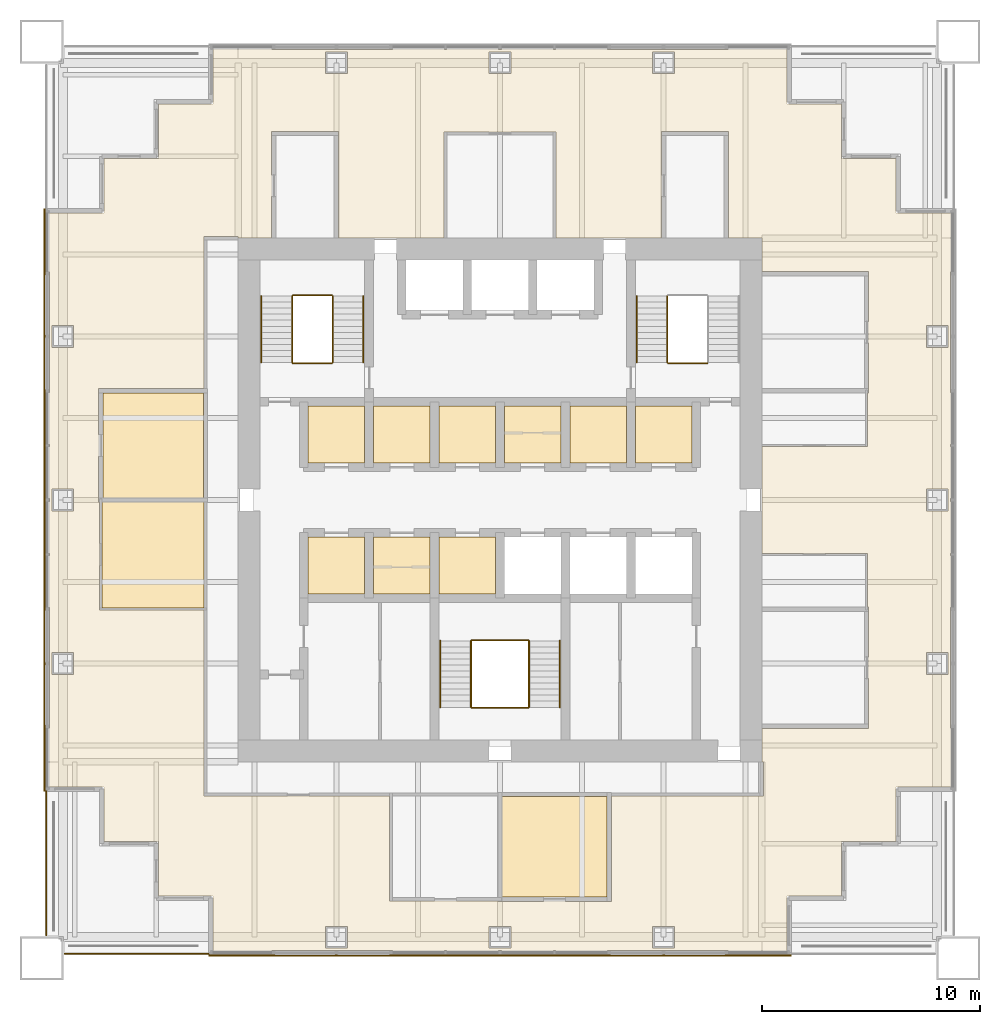
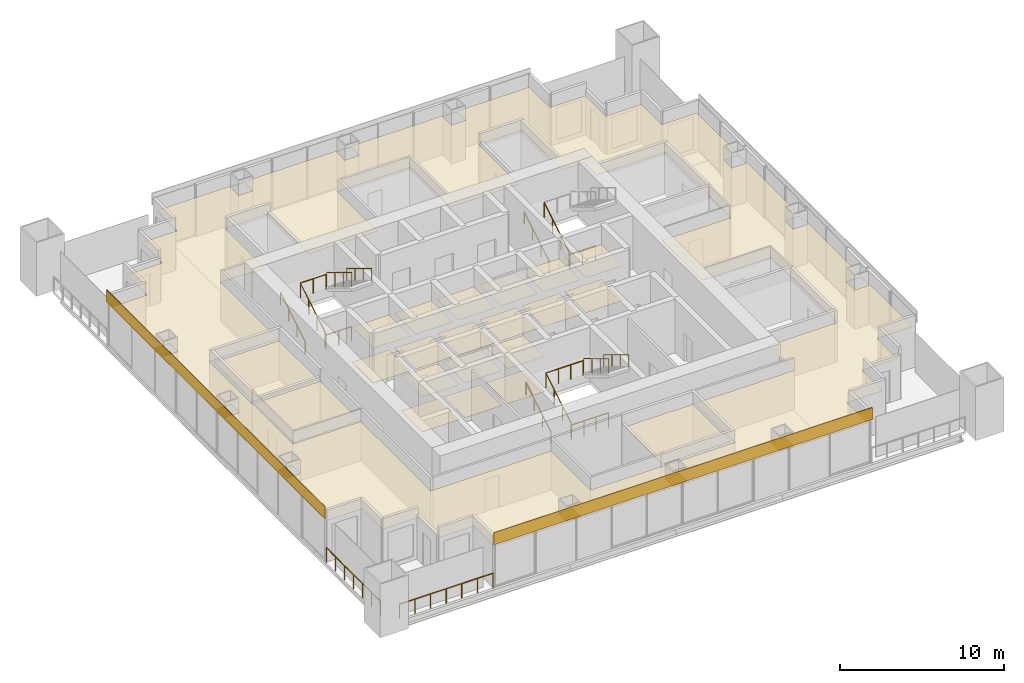
# One storey, part 13 of 14: 24 coverings, 17 railings.
"""IFC4 building model written with IfcOpenShell, lengths in metres."""

from ifc_helpers import new_model, si_unit, direction, frame, origin, origin_2d, place, context, subcontext, project, spatial, polyline, rectangle, circle, outline, extrude, material, layer, layer_set, type_object, element, save


model = new_model("IFC4")

# Units and contexts
model_context = context("Model", 3, precision=1e-05, world=origin(), true_north=direction((0.0, 1.0)))
body_context = subcontext(model_context, "Body", "Model", "MODEL_VIEW")
ifc_project = project(units=[si_unit("LENGTHUNIT", "METRE"), si_unit("AREAUNIT", "SQUARE_METRE"), si_unit("VOLUMEUNIT", "CUBIC_METRE"), si_unit("PLANEANGLEUNIT", "RADIAN"), si_unit("MASSUNIT", "GRAM", prefix="KILO")], contexts=[model_context])

# Site, building, storey
site_placement = place(None, origin())
site = spatial("IfcSite", under=ifc_project, at=site_placement, CompositionType="ELEMENT")
building_placement = place(site_placement, origin())
building = spatial("IfcBuilding", under=site, at=building_placement, Name="Tarangal Relay Tower", CompositionType="ELEMENT")
storey_placement = place(building_placement, frame((0.0, 0.0, 307.89990234375)))
storey = spatial("IfcBuildingStorey", under=building, at=storey_placement, Name="L68", CompositionType="ELEMENT", Elevation=307.89990234375)

# Coverings
ifc_material_1 = material(Name="Anti-static vinyl flooring", Category="plastic")
ifc_layer_1 = layer(ifc_material_1, 0.010009765625)
ifc_layer_set_1 = layer_set([ifc_layer_1], Name="Anti-static vinyl floor")
covering_type_1 = type_object("IfcCoveringType", Name="Anti-static vinyl floor", PredefinedType="FLOORING", material=ifc_layer_set_1)
covering_1_placement = place(storey_placement, origin())
element("IfcCovering", 1, at=covering_1_placement, inside=storey, type_object=covering_type_1, Name="Floor finish FL1 L68-D1", PredefinedType="FLOORING", context=body_context, shape_type="SweptSolid", body=[
    extrude(outline(polyline([(-8.800048828125, 1.699951171875), (-6.199951171875, 1.699951171875), (-6.199951171875, 4.300048828125), (-8.800048828125, 4.300048828125), (-8.800048828125, 1.699951171875)])), origin(), (0.0, 0.0, 1.0), 0.010009765625),
])
covering_2_placement = place(storey_placement, origin())
element("IfcCovering", 2, at=covering_2_placement, inside=storey, type_object=covering_type_1, Name="Floor finish FL1 L68-D2", PredefinedType="FLOORING", context=body_context, shape_type="SweptSolid", body=[
    extrude(outline(polyline([(-5.800048828125, 1.699951171875), (-3.199951171875, 1.699951171875), (-3.199951171875, 4.300048828125), (-5.800048828125, 4.300048828125), (-5.800048828125, 1.699951171875)])), origin(), (0.0, 0.0, 1.0), 0.010009765625),
])
covering_3_placement = place(storey_placement, origin())
element("IfcCovering", 3, at=covering_3_placement, inside=storey, type_object=covering_type_1, Name="Floor finish FL1 L68-D3", PredefinedType="FLOORING", context=body_context, shape_type="SweptSolid", body=[
    extrude(outline(polyline([(-2.800048828125, 1.699951171875), (-0.199951171875, 1.699951171875), (-0.199951171875, 4.300048828125), (-2.800048828125, 4.300048828125), (-2.800048828125, 1.699951171875)])), origin(), (0.0, 0.0, 1.0), 0.010009765625),
])
covering_4_placement = place(storey_placement, origin())
element("IfcCovering", 4, at=covering_4_placement, inside=storey, type_object=covering_type_1, Name="Floor finish FL1 L68-T1", PredefinedType="FLOORING", context=body_context, shape_type="SweptSolid", body=[
    extrude(outline(polyline([(0.199951171875, 1.699951171875), (2.800048828125, 1.699951171875), (2.800048828125, 4.300048828125), (0.199951171875, 4.300048828125), (0.199951171875, 1.699951171875)])), origin(), (0.0, 0.0, 1.0), 0.010009765625),
])
covering_5_placement = place(storey_placement, origin())
element("IfcCovering", 5, at=covering_5_placement, inside=storey, type_object=covering_type_1, Name="Floor finish FL1 L68-T2", PredefinedType="FLOORING", context=body_context, shape_type="SweptSolid", body=[
    extrude(outline(polyline([(3.199951171875, 1.699951171875), (5.800048828125, 1.699951171875), (5.800048828125, 4.300048828125), (3.199951171875, 4.300048828125), (3.199951171875, 1.699951171875)])), origin(), (0.0, 0.0, 1.0), 0.010009765625),
])
covering_6_placement = place(storey_placement, origin())
element("IfcCovering", 6, at=covering_6_placement, inside=storey, type_object=covering_type_1, Name="Floor finish FL1 L68-T3", PredefinedType="FLOORING", context=body_context, shape_type="SweptSolid", body=[
    extrude(outline(polyline([(6.199951171875, 1.699951171875), (8.800048828125, 1.699951171875), (8.800048828125, 4.300048828125), (6.199951171875, 4.300048828125), (6.199951171875, 1.699951171875)])), origin(), (0.0, 0.0, 1.0), 0.010009765625),
])
covering_7_placement = place(storey_placement, origin())
element("IfcCovering", 7, at=covering_7_placement, inside=storey, type_object=covering_type_1, Name="Floor finish FL1 L68-S1", PredefinedType="FLOORING", context=body_context, shape_type="SweptSolid", body=[
    extrude(outline(polyline([(-8.800048828125, -4.300048828125), (-6.199951171875, -4.300048828125), (-6.199951171875, -1.699951171875), (-8.800048828125, -1.699951171875), (-8.800048828125, -4.300048828125)])), origin(), (0.0, 0.0, 1.0), 0.010009765625),
])
covering_8_placement = place(storey_placement, origin())
element("IfcCovering", 8, at=covering_8_placement, inside=storey, type_object=covering_type_1, Name="Floor finish FL1 L68-S2", PredefinedType="FLOORING", context=body_context, shape_type="SweptSolid", body=[
    extrude(outline(polyline([(-5.800048828125, -4.300048828125), (-3.199951171875, -4.300048828125), (-3.199951171875, -1.699951171875), (-5.800048828125, -1.699951171875), (-5.800048828125, -4.300048828125)])), origin(), (0.0, 0.0, 1.0), 0.010009765625),
])
covering_9_placement = place(storey_placement, origin())
element("IfcCovering", 9, at=covering_9_placement, inside=storey, type_object=covering_type_1, Name="Floor finish FL1 L68-S3", PredefinedType="FLOORING", context=body_context, shape_type="SweptSolid", body=[
    extrude(outline(polyline([(-2.800048828125, -4.300048828125), (-0.199951171875, -4.300048828125), (-0.199951171875, -1.699951171875), (-2.800048828125, -1.699951171875), (-2.800048828125, -4.300048828125)])), origin(), (0.0, 0.0, 1.0), 0.010009765625),
])
ifc_material_2 = material(Name="Black anodised aluminium cladding", Category="aluminium")
ifc_layer_2 = layer(ifc_material_2, 0.050048828125)
ifc_layer_set_2 = layer_set([ifc_layer_2], Name="Black metal spandrel band")
covering_type_2 = type_object("IfcCoveringType", Name="Black metal spandrel band", PredefinedType="CLADDING", material=ifc_layer_set_2)
for number, where, z_axis, x_axis, name in (
    (10, (0.0, -20.875, 3.250244140625), (0.0, 0.0, 1.0), (-1.0, 0.0, 0.0), "Spandrel band SB1 S L68"),
    (11, (-20.875, 0.0, 3.250244140625), (0.0, 0.0, 1.0), (0.0, 1.0, 0.0), "Spandrel band SB1 W L68"),
):
    element("IfcCovering", number, at=place(storey_placement, frame(where, z_axis=z_axis, x_axis=x_axis)), inside=storey, type_object=covering_type_2, Name=name, PredefinedType="CLADDING", context=body_context, shape_type="SweptSolid", body=[
        extrude(rectangle(XDim=26.699951171875, YDim=0.050048828125, at=origin_2d()), origin(), (0.0, 0.0, 1.0), 0.89990234375),
    ])

# Railings
ifc_material_3 = material(Name="Steel guard, black finish", Category="steel")
railing_type_1 = type_object("IfcRailingType", Name="Stair guard 1100", PredefinedType="GUARDRAIL", material=ifc_material_3)
railing_1_placement = place(storey_placement, frame((-9.530029296875, 6.300048828125, 0.166748046875)))
element("IfcRailing", 12, at=railing_1_placement, inside=storey, type_object=railing_type_1, Name="Stair ST-A guard GR1 L68 flight 1", PredefinedType="GUARDRAIL", context=body_context, shape_type="SweptSolid", body=[
    extrude(circle(Radius=0.02392578125, at=origin_2d()), frame((0.0, 0.0, 1.076171875), z_axis=(0.0, 0.85685617095, 0.515555527858), x_axis=(-1.0, 0.0, 0.0)), (0.0, 0.0, 1.0), 3.555908203125),
    extrude(circle(Radius=0.02099609375, at=origin_2d()), origin(), (0.0, 0.0, 1.0), 1.052001953125),
    extrude(circle(Radius=0.02099609375, at=origin_2d()), frame((0.0, 1.015625, 0.611083984375)), (0.0, 0.0, 1.0), 1.052001953125),
    extrude(circle(Radius=0.02099609375, at=origin_2d()), frame((0.0, 2.03125, 1.22216796875)), (0.0, 0.0, 1.0), 1.052001953125),
    extrude(circle(Radius=0.02099609375, at=origin_2d()), frame((0.0, 3.046875, 1.833251953125)), (0.0, 0.0, 1.0), 1.052001953125),
])
railing_2_placement = place(storey_placement, frame((-7.669921875, 9.346923828125, 2.166748046875)))
element("IfcRailing", 13, at=railing_2_placement, inside=storey, type_object=railing_type_1, Name="Stair ST-A guard GR1 L68 flight 2", PredefinedType="GUARDRAIL", context=body_context, shape_type="SweptSolid", body=[
    extrude(circle(Radius=0.02392578125, at=origin_2d()), frame((0.0, 0.0, 1.076171875), z_axis=(0.0, -0.85685617095, 0.515555527858), x_axis=(1.0, 0.0, 0.0)), (0.0, 0.0, 1.0), 3.555908203125),
    extrude(circle(Radius=0.02099609375, at=origin_2d()), origin(), (0.0, 0.0, 1.0), 1.052001953125),
    extrude(circle(Radius=0.02099609375, at=origin_2d()), frame((0.0, -1.015625, 0.611083984375)), (0.0, 0.0, 1.0), 1.052001953125),
    extrude(circle(Radius=0.02099609375, at=origin_2d()), frame((0.0, -2.03125, 1.22216796875)), (0.0, 0.0, 1.0), 1.052001953125),
    extrude(circle(Radius=0.02099609375, at=origin_2d()), frame((0.0, -3.046875, 1.833251953125)), (0.0, 0.0, 1.0), 1.052001953125),
])
for number, where, name in (
    (14, (-9.5, 6.27001953125, 0.0), "Stair ST-A landing guard GR1 L68"),
    (15, (-9.5, 9.376953125, 2.0), "Stair ST-A landing guard GR1 L68"),
):
    element("IfcRailing", number, at=place(storey_placement, frame(where)), inside=storey, type_object=railing_type_1, Name=name, PredefinedType="GUARDRAIL", context=body_context, shape_type="SweptSolid", body=[
        extrude(circle(Radius=0.02392578125, at=origin_2d()), frame((0.0, 0.0, 1.076171875), z_axis=(1.0, 0.0, 0.0), x_axis=(0.0, 1.0, 0.0)), (0.0, 0.0, 1.0), 1.800048828125),
        extrude(circle(Radius=0.02099609375, at=origin_2d()), origin(), (0.0, 0.0, 1.0), 1.052001953125),
        extrude(circle(Radius=0.02099609375, at=origin_2d()), frame((0.89990234375, 0.0, 0.0)), (0.0, 0.0, 1.0), 1.052001953125),
        extrude(circle(Radius=0.02099609375, at=origin_2d()), frame((1.800048828125, 0.0, 0.0)), (0.0, 0.0, 1.0), 1.052001953125),
    ])
railing_3_placement = place(storey_placement, frame((7.669921875, 6.300048828125, 0.166748046875)))
element("IfcRailing", 16, at=railing_3_placement, inside=storey, type_object=railing_type_1, Name="Stair ST-B guard GR1 L68 flight 1", PredefinedType="GUARDRAIL", context=body_context, shape_type="SweptSolid", body=[
    extrude(circle(Radius=0.02392578125, at=origin_2d()), frame((0.0, 0.0, 1.076171875), z_axis=(0.0, 0.85685617095, 0.515555527858), x_axis=(-1.0, 0.0, 0.0)), (0.0, 0.0, 1.0), 3.555908203125),
    extrude(circle(Radius=0.02099609375, at=origin_2d()), origin(), (0.0, 0.0, 1.0), 1.052001953125),
    extrude(circle(Radius=0.02099609375, at=origin_2d()), frame((0.0, 1.015625, 0.611083984375)), (0.0, 0.0, 1.0), 1.052001953125),
    extrude(circle(Radius=0.02099609375, at=origin_2d()), frame((0.0, 2.03125, 1.22216796875)), (0.0, 0.0, 1.0), 1.052001953125),
    extrude(circle(Radius=0.02099609375, at=origin_2d()), frame((0.0, 3.046875, 1.833251953125)), (0.0, 0.0, 1.0), 1.052001953125),
])
railing_4_placement = place(storey_placement, frame((7.699951171875, 6.27001953125, 0.0)))
element("IfcRailing", 17, at=railing_4_placement, inside=storey, type_object=railing_type_1, Name="Stair ST-B landing guard GR1 L68", PredefinedType="GUARDRAIL", context=body_context, shape_type="SweptSolid", body=[
    extrude(circle(Radius=0.02392578125, at=origin_2d()), frame((0.0, 0.0, 1.076171875), z_axis=(1.0, 0.0, 0.0), x_axis=(0.0, 1.0, 0.0)), (0.0, 0.0, 1.0), 1.800048828125),
    extrude(circle(Radius=0.02099609375, at=origin_2d()), origin(), (0.0, 0.0, 1.0), 1.052001953125),
    extrude(circle(Radius=0.02099609375, at=origin_2d()), frame((0.89990234375, 0.0, 0.0)), (0.0, 0.0, 1.0), 1.052001953125),
    extrude(circle(Radius=0.02099609375, at=origin_2d()), frame((1.800048828125, 0.0, 0.0)), (0.0, 0.0, 1.0), 1.052001953125),
])
railing_5_placement = place(storey_placement, frame((-1.330078125, -9.5, 0.166748046875)))
element("IfcRailing", 18, at=railing_5_placement, inside=storey, type_object=railing_type_1, Name="Stair ST-C guard GR1 L68 flight 1", PredefinedType="GUARDRAIL", context=body_context, shape_type="SweptSolid", body=[
    extrude(circle(Radius=0.02392578125, at=origin_2d()), frame((0.0, 0.0, 1.076171875), z_axis=(0.0, 0.856874418557, 0.515525199018), x_axis=(-1.0, 0.0, 0.0)), (0.0, 0.0, 1.0), 3.55615234375),
    extrude(circle(Radius=0.02099609375, at=origin_2d()), origin(), (0.0, 0.0, 1.0), 1.052001953125),
    extrude(circle(Radius=0.02099609375, at=origin_2d()), frame((0.0, 1.015625, 0.611083984375)), (0.0, 0.0, 1.0), 1.052001953125),
    extrude(circle(Radius=0.02099609375, at=origin_2d()), frame((0.0, 2.031494140625, 1.22216796875)), (0.0, 0.0, 1.0), 1.052001953125),
    extrude(circle(Radius=0.02099609375, at=origin_2d()), frame((0.0, 3.047119140625, 1.833251953125)), (0.0, 0.0, 1.0), 1.052001953125),
])
railing_6_placement = place(storey_placement, frame((1.330078125, -6.452880859375, 2.166748046875)))
element("IfcRailing", 19, at=railing_6_placement, inside=storey, type_object=railing_type_1, Name="Stair ST-C guard GR1 L68 flight 2", PredefinedType="GUARDRAIL", context=body_context, shape_type="SweptSolid", body=[
    extrude(circle(Radius=0.02392578125, at=origin_2d()), frame((0.0, 0.0, 1.076171875), z_axis=(0.0, -0.856874418557, 0.515525199018), x_axis=(1.0, 0.0, 0.0)), (0.0, 0.0, 1.0), 3.55615234375),
    extrude(circle(Radius=0.02099609375, at=origin_2d()), origin(), (0.0, 0.0, 1.0), 1.052001953125),
    extrude(circle(Radius=0.02099609375, at=origin_2d()), frame((0.0, -1.015625, 0.611083984375)), (0.0, 0.0, 1.0), 1.052001953125),
    extrude(circle(Radius=0.02099609375, at=origin_2d()), frame((0.0, -2.031494140625, 1.22216796875)), (0.0, 0.0, 1.0), 1.052001953125),
    extrude(circle(Radius=0.02099609375, at=origin_2d()), frame((0.0, -3.047119140625, 1.833251953125)), (0.0, 0.0, 1.0), 1.052001953125),
])
for number, where, name in (
    (20, (-1.300048828125, -9.530029296875, 0.0), "Stair ST-C landing guard GR1 L68"),
    (21, (-1.300048828125, -6.423095703125, 2.0), "Stair ST-C landing guard GR1 L68"),
):
    element("IfcRailing", number, at=place(storey_placement, frame(where)), inside=storey, type_object=railing_type_1, Name=name, PredefinedType="GUARDRAIL", context=body_context, shape_type="SweptSolid", body=[
        extrude(circle(Radius=0.02392578125, at=origin_2d()), frame((0.0, 0.0, 1.076171875), z_axis=(1.0, 0.0, 0.0), x_axis=(0.0, 1.0, 0.0)), (0.0, 0.0, 1.0), 2.60009765625),
        extrude(circle(Radius=0.02099609375, at=origin_2d()), origin(), (0.0, 0.0, 1.0), 1.052001953125),
        extrude(circle(Radius=0.02099609375, at=origin_2d()), frame((0.86669921875, 0.0, 0.0)), (0.0, 0.0, 1.0), 1.052001953125),
        extrude(circle(Radius=0.02099609375, at=origin_2d()), frame((1.7333984375, 0.0, 0.0)), (0.0, 0.0, 1.0), 1.052001953125),
        extrude(circle(Radius=0.02099609375, at=origin_2d()), frame((2.60009765625, 0.0, 0.0)), (0.0, 0.0, 1.0), 1.052001953125),
    ])
ifc_material_4 = material(Name="Steel handrail, black finish", Category="steel")
railing_type_2 = type_object("IfcRailingType", Name="Stair handrail 900", PredefinedType="HANDRAIL", material=ifc_material_4)
railing_7_placement = place(storey_placement, frame((-10.93994140625, 6.300048828125, 0.166748046875)))
element("IfcRailing", 22, at=railing_7_placement, inside=storey, type_object=railing_type_2, Name="Stair ST-A handrail HR1 L68 flight 1", PredefinedType="HANDRAIL", context=body_context, shape_type="SweptSolid", body=[
    extrude(circle(Radius=0.02392578125, at=origin_2d()), frame((0.0, 0.0, 0.8759765625), z_axis=(0.0, 0.85685617095, 0.515555527858), x_axis=(-1.0, 0.0, 0.0)), (0.0, 0.0, 1.0), 3.555908203125),
    extrude(circle(Radius=0.02099609375, at=origin_2d()), origin(), (0.0, 0.0, 1.0), 0.851806640625),
    extrude(circle(Radius=0.02099609375, at=origin_2d()), frame((0.0, 1.015625, 0.611083984375)), (0.0, 0.0, 1.0), 0.851806640625),
    extrude(circle(Radius=0.02099609375, at=origin_2d()), frame((0.0, 2.03125, 1.22216796875)), (0.0, 0.0, 1.0), 0.851806640625),
    extrude(circle(Radius=0.02099609375, at=origin_2d()), frame((0.0, 3.046875, 1.833251953125)), (0.0, 0.0, 1.0), 0.851806640625),
])
railing_8_placement = place(storey_placement, frame((-6.260009765625, 9.346923828125, 2.166748046875)))
element("IfcRailing", 23, at=railing_8_placement, inside=storey, type_object=railing_type_2, Name="Stair ST-A handrail HR1 L68 flight 2", PredefinedType="HANDRAIL", context=body_context, shape_type="SweptSolid", body=[
    extrude(circle(Radius=0.02392578125, at=origin_2d()), frame((0.0, 0.0, 0.8759765625), z_axis=(0.0, -0.85685617095, 0.515555527858), x_axis=(1.0, 0.0, 0.0)), (0.0, 0.0, 1.0), 3.555908203125),
    extrude(circle(Radius=0.02099609375, at=origin_2d()), origin(), (0.0, 0.0, 1.0), 0.851806640625),
    extrude(circle(Radius=0.02099609375, at=origin_2d()), frame((0.0, -1.015625, 0.611083984375)), (0.0, 0.0, 1.0), 0.851806640625),
    extrude(circle(Radius=0.02099609375, at=origin_2d()), frame((0.0, -2.03125, 1.22216796875)), (0.0, 0.0, 1.0), 0.851806640625),
    extrude(circle(Radius=0.02099609375, at=origin_2d()), frame((0.0, -3.046875, 1.833251953125)), (0.0, 0.0, 1.0), 0.851806640625),
])
railing_9_placement = place(storey_placement, frame((6.260009765625, 6.300048828125, 0.166748046875)))
element("IfcRailing", 24, at=railing_9_placement, inside=storey, type_object=railing_type_2, Name="Stair ST-B handrail HR1 L68 flight 1", PredefinedType="HANDRAIL", context=body_context, shape_type="SweptSolid", body=[
    extrude(circle(Radius=0.02392578125, at=origin_2d()), frame((0.0, 0.0, 0.8759765625), z_axis=(0.0, 0.85685617095, 0.515555527858), x_axis=(-1.0, 0.0, 0.0)), (0.0, 0.0, 1.0), 3.555908203125),
    extrude(circle(Radius=0.02099609375, at=origin_2d()), origin(), (0.0, 0.0, 1.0), 0.851806640625),
    extrude(circle(Radius=0.02099609375, at=origin_2d()), frame((0.0, 1.015625, 0.611083984375)), (0.0, 0.0, 1.0), 0.851806640625),
    extrude(circle(Radius=0.02099609375, at=origin_2d()), frame((0.0, 2.03125, 1.22216796875)), (0.0, 0.0, 1.0), 0.851806640625),
    extrude(circle(Radius=0.02099609375, at=origin_2d()), frame((0.0, 3.046875, 1.833251953125)), (0.0, 0.0, 1.0), 0.851806640625),
])
railing_10_placement = place(storey_placement, frame((-2.739990234375, -9.5, 0.166748046875)))
element("IfcRailing", 25, at=railing_10_placement, inside=storey, type_object=railing_type_2, Name="Stair ST-C handrail HR1 L68 flight 1", PredefinedType="HANDRAIL", context=body_context, shape_type="SweptSolid", body=[
    extrude(circle(Radius=0.02392578125, at=origin_2d()), frame((0.0, 0.0, 0.8759765625), z_axis=(0.0, 0.856874418557, 0.515525199018), x_axis=(-1.0, 0.0, 0.0)), (0.0, 0.0, 1.0), 3.55615234375),
    extrude(circle(Radius=0.02099609375, at=origin_2d()), origin(), (0.0, 0.0, 1.0), 0.851806640625),
    extrude(circle(Radius=0.02099609375, at=origin_2d()), frame((0.0, 1.015625, 0.611083984375)), (0.0, 0.0, 1.0), 0.851806640625),
    extrude(circle(Radius=0.02099609375, at=origin_2d()), frame((0.0, 2.031494140625, 1.22216796875)), (0.0, 0.0, 1.0), 0.851806640625),
    extrude(circle(Radius=0.02099609375, at=origin_2d()), frame((0.0, 3.047119140625, 1.833251953125)), (0.0, 0.0, 1.0), 0.851806640625),
])
railing_11_placement = place(storey_placement, frame((2.739990234375, -6.452880859375, 2.166748046875)))
element("IfcRailing", 26, at=railing_11_placement, inside=storey, type_object=railing_type_2, Name="Stair ST-C handrail HR1 L68 flight 2", PredefinedType="HANDRAIL", context=body_context, shape_type="SweptSolid", body=[
    extrude(circle(Radius=0.02392578125, at=origin_2d()), frame((0.0, 0.0, 0.8759765625), z_axis=(0.0, -0.856874418557, 0.515525199018), x_axis=(1.0, 0.0, 0.0)), (0.0, 0.0, 1.0), 3.55615234375),
    extrude(circle(Radius=0.02099609375, at=origin_2d()), origin(), (0.0, 0.0, 1.0), 0.851806640625),
    extrude(circle(Radius=0.02099609375, at=origin_2d()), frame((0.0, -1.015625, 0.611083984375)), (0.0, 0.0, 1.0), 0.851806640625),
    extrude(circle(Radius=0.02099609375, at=origin_2d()), frame((0.0, -2.031494140625, 1.22216796875)), (0.0, 0.0, 1.0), 0.851806640625),
    extrude(circle(Radius=0.02099609375, at=origin_2d()), frame((0.0, -3.047119140625, 1.833251953125)), (0.0, 0.0, 1.0), 0.851806640625),
])

# Coverings
ifc_material_5 = material(Name="Mineral fibre ceiling tiles", Category="gypsum")
ifc_layer_3 = layer(ifc_material_5, 0.02001953125)
ifc_layer_set_3 = layer_set([ifc_layer_3], Name="Suspended ceiling")
covering_type_3 = type_object("IfcCoveringType", Name="Suspended ceiling", PredefinedType="CEILING", material=ifc_layer_set_3)
covering_10_placement = place(storey_placement, frame((0.0, 0.0, 2.60009765625)))
element("IfcCovering", 27, at=covering_10_placement, inside=storey, type_object=covering_type_3, Name="Suspended ceiling CL1 L68-D1", PredefinedType="CEILING", context=body_context, shape_type="SweptSolid", body=[
    extrude(outline(polyline([(-8.800048828125, 1.699951171875), (-6.199951171875, 1.699951171875), (-6.199951171875, 4.300048828125), (-8.800048828125, 4.300048828125), (-8.800048828125, 1.699951171875)])), origin(), (0.0, 0.0, 1.0), 0.02001953125),
])
covering_11_placement = place(storey_placement, frame((0.0, 0.0, 2.60009765625)))
element("IfcCovering", 28, at=covering_11_placement, inside=storey, type_object=covering_type_3, Name="Suspended ceiling CL1 L68-D2", PredefinedType="CEILING", context=body_context, shape_type="SweptSolid", body=[
    extrude(outline(polyline([(-5.800048828125, 1.699951171875), (-3.199951171875, 1.699951171875), (-3.199951171875, 4.300048828125), (-5.800048828125, 4.300048828125), (-5.800048828125, 1.699951171875)])), origin(), (0.0, 0.0, 1.0), 0.02001953125),
])
covering_12_placement = place(storey_placement, frame((0.0, 0.0, 2.60009765625)))
element("IfcCovering", 29, at=covering_12_placement, inside=storey, type_object=covering_type_3, Name="Suspended ceiling CL1 L68-D3", PredefinedType="CEILING", context=body_context, shape_type="SweptSolid", body=[
    extrude(outline(polyline([(-2.800048828125, 1.699951171875), (-0.199951171875, 1.699951171875), (-0.199951171875, 4.300048828125), (-2.800048828125, 4.300048828125), (-2.800048828125, 1.699951171875)])), origin(), (0.0, 0.0, 1.0), 0.02001953125),
])
covering_13_placement = place(storey_placement, frame((0.0, 0.0, 2.60009765625)))
element("IfcCovering", 30, at=covering_13_placement, inside=storey, type_object=covering_type_3, Name="Suspended ceiling CL1 L68-T1", PredefinedType="CEILING", context=body_context, shape_type="SweptSolid", body=[
    extrude(outline(polyline([(0.199951171875, 1.699951171875), (2.800048828125, 1.699951171875), (2.800048828125, 4.300048828125), (0.199951171875, 4.300048828125), (0.199951171875, 1.699951171875)])), origin(), (0.0, 0.0, 1.0), 0.02001953125),
])
covering_14_placement = place(storey_placement, frame((0.0, 0.0, 2.60009765625)))
element("IfcCovering", 31, at=covering_14_placement, inside=storey, type_object=covering_type_3, Name="Suspended ceiling CL1 L68-T2", PredefinedType="CEILING", context=body_context, shape_type="SweptSolid", body=[
    extrude(outline(polyline([(3.199951171875, 1.699951171875), (5.800048828125, 1.699951171875), (5.800048828125, 4.300048828125), (3.199951171875, 4.300048828125), (3.199951171875, 1.699951171875)])), origin(), (0.0, 0.0, 1.0), 0.02001953125),
])
covering_15_placement = place(storey_placement, frame((0.0, 0.0, 2.60009765625)))
element("IfcCovering", 32, at=covering_15_placement, inside=storey, type_object=covering_type_3, Name="Suspended ceiling CL1 L68-T3", PredefinedType="CEILING", context=body_context, shape_type="SweptSolid", body=[
    extrude(outline(polyline([(6.199951171875, 1.699951171875), (8.800048828125, 1.699951171875), (8.800048828125, 4.300048828125), (6.199951171875, 4.300048828125), (6.199951171875, 1.699951171875)])), origin(), (0.0, 0.0, 1.0), 0.02001953125),
])
covering_16_placement = place(storey_placement, frame((0.0, 0.0, 2.60009765625)))
element("IfcCovering", 33, at=covering_16_placement, inside=storey, type_object=covering_type_3, Name="Suspended ceiling CL1 L68-S1", PredefinedType="CEILING", context=body_context, shape_type="SweptSolid", body=[
    extrude(outline(polyline([(-8.800048828125, -4.300048828125), (-6.199951171875, -4.300048828125), (-6.199951171875, -1.699951171875), (-8.800048828125, -1.699951171875), (-8.800048828125, -4.300048828125)])), origin(), (0.0, 0.0, 1.0), 0.02001953125),
])
covering_17_placement = place(storey_placement, frame((0.0, 0.0, 2.60009765625)))
element("IfcCovering", 34, at=covering_17_placement, inside=storey, type_object=covering_type_3, Name="Suspended ceiling CL1 L68-S2", PredefinedType="CEILING", context=body_context, shape_type="SweptSolid", body=[
    extrude(outline(polyline([(-5.800048828125, -4.300048828125), (-3.199951171875, -4.300048828125), (-3.199951171875, -1.699951171875), (-5.800048828125, -1.699951171875), (-5.800048828125, -4.300048828125)])), origin(), (0.0, 0.0, 1.0), 0.02001953125),
])
covering_18_placement = place(storey_placement, frame((0.0, 0.0, 2.60009765625)))
element("IfcCovering", 35, at=covering_18_placement, inside=storey, type_object=covering_type_3, Name="Suspended ceiling CL1 L68-S3", PredefinedType="CEILING", context=body_context, shape_type="SweptSolid", body=[
    extrude(outline(polyline([(-2.800048828125, -4.300048828125), (-0.199951171875, -4.300048828125), (-0.199951171875, -1.699951171875), (-2.800048828125, -1.699951171875), (-2.800048828125, -4.300048828125)])), origin(), (0.0, 0.0, 1.0), 0.02001953125),
])
covering_19_placement = place(storey_placement, frame((0.0, 0.0, 2.900146484375)))
element("IfcCovering", 36, at=covering_19_placement, inside=storey, type_object=covering_type_3, Name="Suspended ceiling CL1 L68-09", PredefinedType="CEILING", context=body_context, shape_type="SweptSolid", body=[
    extrude(outline(polyline([(0.10009765625, -18.199951171875), (4.89990234375, -18.199951171875), (4.89990234375, -13.60009765625), (0.10009765625, -13.60009765625), (0.10009765625, -18.199951171875)])), origin(), (0.0, 0.0, 1.0), 0.02001953125),
])
covering_20_placement = place(storey_placement, frame((0.0, 0.0, 2.900146484375)))
element("IfcCovering", 37, at=covering_20_placement, inside=storey, type_object=covering_type_3, Name="Suspended ceiling CL1 L68-11", PredefinedType="CEILING", context=body_context, shape_type="SweptSolid", body=[
    extrude(outline(polyline([(-13.574951171875, -4.949951171875), (-13.574951171875, -0.10009765625), (-18.25, -0.10009765625), (-18.25, -4.949951171875), (-13.574951171875, -4.949951171875)])), origin(), (0.0, 0.0, 1.0), 0.02001953125),
])
covering_21_placement = place(storey_placement, frame((0.0, 0.0, 2.900146484375)))
element("IfcCovering", 38, at=covering_21_placement, inside=storey, type_object=covering_type_3, Name="Suspended ceiling CL1 L68-12", PredefinedType="CEILING", context=body_context, shape_type="SweptSolid", body=[
    extrude(outline(polyline([(-13.60009765625, 4.89990234375), (-18.199951171875, 4.89990234375), (-18.199951171875, 0.10009765625), (-13.60009765625, 0.10009765625), (-13.60009765625, 4.89990234375)])), origin(), (0.0, 0.0, 1.0), 0.02001953125),
])
covering_22_placement = place(storey_placement, frame((0.0, 0.0, 2.900146484375)))
element("IfcCovering", 39, at=covering_22_placement, inside=storey, type_object=covering_type_3, Name="Suspended ceiling CL1 L68-13", PredefinedType="CEILING", context=body_context, shape_type="SweptSolid", body=[
    extrude(outline(polyline([(18.14990234375, 15.64990234375), (15.64990234375, 15.64990234375), (15.64990234375, 18.14990234375), (13.14990234375, 18.14990234375), (13.14990234375, 20.64990234375), (-13.14990234375, 20.64990234375), (-13.14990234375, 18.14990234375), (-15.64990234375, 18.14990234375), (-15.64990234375, 15.64990234375), (-18.14990234375, 15.64990234375), (-18.14990234375, 13.14990234375), (-20.64990234375, 13.14990234375), (-20.64990234375, -13.14990234375), (-18.14990234375, -13.14990234375), (-18.14990234375, -15.64990234375), (-15.64990234375, -15.64990234375), (-15.64990234375, -18.14990234375), (-13.14990234375, -18.14990234375), (-13.14990234375, -20.64990234375), (13.14990234375, -20.64990234375), (13.14990234375, -18.14990234375), (15.64990234375, -18.14990234375), (15.64990234375, -15.64990234375), (18.14990234375, -15.64990234375), (18.14990234375, -13.14990234375), (20.64990234375, -13.14990234375), (20.64990234375, 13.14990234375), (18.14990234375, 13.14990234375), (18.14990234375, 15.64990234375)]), holes=[polyline([(-12.0, 12.074951171875), (-13.574951171875, 12.074951171875), (-13.574951171875, 5.10009765625), (-18.39990234375, 5.10009765625), (-18.39990234375, -0.10009765625), (-18.35009765625, -0.10009765625), (-18.35009765625, -5.050048828125), (-13.574951171875, -5.050048828125), (-13.574951171875, -13.574951171875), (-5.074951171875, -13.574951171875), (-5.074951171875, -18.375), (-0.10009765625, -18.375), (-0.10009765625, -18.39990234375), (5.10009765625, -18.39990234375), (5.10009765625, -13.574951171875), (12.074951171875, -13.574951171875), (12.074951171875, -12.0), (12.0, -12.0), (12.0, -10.47509765625), (16.89990234375, -10.47509765625), (16.89990234375, -4.89990234375), (16.85009765625, -4.89990234375), (16.85009765625, -2.449951171875), (12.0, -2.449951171875), (12.0, 2.449951171875), (16.85009765625, 2.449951171875), (16.85009765625, 4.89990234375), (16.89990234375, 4.89990234375), (16.89990234375, 10.47509765625), (12.0, 10.47509765625), (12.0, 12.0), (10.47509765625, 12.0), (10.47509765625, 16.89990234375), (7.39990234375, 16.89990234375), (7.39990234375, 12.0), (2.574951171875, 12.0), (2.574951171875, 16.875), (-2.574951171875, 16.875), (-2.574951171875, 12.0), (-7.39990234375, 12.0), (-7.39990234375, 16.89990234375), (-10.47509765625, 16.89990234375), (-10.47509765625, 12.0), (-12.0, 12.0), (-12.0, 12.074951171875)]), polyline([(-8.0, -19.5400390625), (-8.0, -20.5400390625), (-7.0, -20.5400390625), (-7.0, -19.5400390625), (-8.0, -19.5400390625)]), polyline([(-19.5400390625, -7.0), (-20.5400390625, -7.0), (-20.5400390625, -8.0), (-19.5400390625, -8.0), (-19.5400390625, -7.0)]), polyline([(-19.5400390625, 0.5), (-20.5400390625, 0.5), (-20.5400390625, -0.5), (-19.5400390625, -0.5), (-19.5400390625, 0.5)]), polyline([(-20.5400390625, 8.0), (-20.5400390625, 7.0), (-19.5400390625, 7.0), (-19.5400390625, 8.0), (-20.5400390625, 8.0)]), polyline([(-7.0, 20.5400390625), (-8.0, 20.5400390625), (-8.0, 19.5400390625), (-7.0, 19.5400390625), (-7.0, 20.5400390625)]), polyline([(0.5, 20.5400390625), (-0.5, 20.5400390625), (-0.5, 19.5400390625), (0.5, 19.5400390625), (0.5, 20.5400390625)]), polyline([(-0.5, -19.5400390625), (-0.5, -20.5400390625), (0.5, -20.5400390625), (0.5, -19.5400390625), (-0.5, -19.5400390625)]), polyline([(8.0, -19.5400390625), (7.0, -19.5400390625), (7.0, -20.5400390625), (8.0, -20.5400390625), (8.0, -19.5400390625)]), polyline([(20.5400390625, -7.0), (19.5400390625, -7.0), (19.5400390625, -8.0), (20.5400390625, -8.0), (20.5400390625, -7.0)]), polyline([(19.5400390625, 0.5), (19.5400390625, -0.5), (20.5400390625, -0.5), (20.5400390625, 0.5), (19.5400390625, 0.5)]), polyline([(20.5400390625, 8.0), (19.5400390625, 8.0), (19.5400390625, 7.0), (20.5400390625, 7.0), (20.5400390625, 8.0)]), polyline([(8.0, 20.5400390625), (7.0, 20.5400390625), (7.0, 19.5400390625), (8.0, 19.5400390625), (8.0, 20.5400390625)])]), origin(), (0.0, 0.0, 1.0), 0.02001953125),
])

# Railings
ifc_material_6 = material(Name="Black steel guard with glass infill", Category="steel")
railing_type_3 = type_object("IfcRailingType", Name="Terrace guard 1100", PredefinedType="GUARDRAIL", material=ifc_material_6)
railing_12_placement = place(storey_placement, frame((-13.35009765625, -20.800048828125, 0.0)))
element("IfcRailing", 40, at=railing_12_placement, inside=storey, type_object=railing_type_3, Name="Terrace guard GR2 SW L68", PredefinedType="GUARDRAIL", context=body_context, shape_type="SweptSolid", body=[
    extrude(circle(Radius=0.02392578125, at=origin_2d()), frame((0.0, 0.0, 1.076171875), z_axis=(-1.0, 0.0, 0.0), x_axis=(0.0, -1.0, 0.0)), (0.0, 0.0, 1.0), 6.599853515625),
    extrude(circle(Radius=0.02099609375, at=origin_2d()), origin(), (0.0, 0.0, 1.0), 1.052001953125),
    extrude(circle(Radius=0.02099609375, at=origin_2d()), frame((-1.10009765625, 0.0, 0.0)), (0.0, 0.0, 1.0), 1.052001953125),
    extrude(circle(Radius=0.02099609375, at=origin_2d()), frame((-2.199951171875, 0.0, 0.0)), (0.0, 0.0, 1.0), 1.052001953125),
    extrude(circle(Radius=0.02099609375, at=origin_2d()), frame((-3.2998046875, 0.0, 0.0)), (0.0, 0.0, 1.0), 1.052001953125),
    extrude(circle(Radius=0.02099609375, at=origin_2d()), frame((-4.39990234375, 0.0, 0.0)), (0.0, 0.0, 1.0), 1.052001953125),
    extrude(circle(Radius=0.02099609375, at=origin_2d()), frame((-5.5, 0.0, 0.0)), (0.0, 0.0, 1.0), 1.052001953125),
    extrude(circle(Radius=0.02099609375, at=origin_2d()), frame((-6.599853515625, 0.0, 0.0)), (0.0, 0.0, 1.0), 1.052001953125),
])
railing_13_placement = place(storey_placement, frame((-20.800048828125, -19.949951171875, 0.0)))
element("IfcRailing", 41, at=railing_13_placement, inside=storey, type_object=railing_type_3, Name="Terrace guard GR2 SW L68", PredefinedType="GUARDRAIL", context=body_context, shape_type="SweptSolid", body=[
    extrude(circle(Radius=0.02392578125, at=origin_2d()), frame((0.0, 0.0, 1.076171875), z_axis=(0.0, 1.0, 0.0), x_axis=(-1.0, 0.0, 0.0)), (0.0, 0.0, 1.0), 6.599853515625),
    extrude(circle(Radius=0.02099609375, at=origin_2d()), origin(), (0.0, 0.0, 1.0), 1.052001953125),
    extrude(circle(Radius=0.02099609375, at=origin_2d()), frame((0.0, 1.10009765625, 0.0)), (0.0, 0.0, 1.0), 1.052001953125),
    extrude(circle(Radius=0.02099609375, at=origin_2d()), frame((0.0, 2.199951171875, 0.0)), (0.0, 0.0, 1.0), 1.052001953125),
    extrude(circle(Radius=0.02099609375, at=origin_2d()), frame((0.0, 3.2998046875, 0.0)), (0.0, 0.0, 1.0), 1.052001953125),
    extrude(circle(Radius=0.02099609375, at=origin_2d()), frame((0.0, 4.39990234375, 0.0)), (0.0, 0.0, 1.0), 1.052001953125),
    extrude(circle(Radius=0.02099609375, at=origin_2d()), frame((0.0, 5.5, 0.0)), (0.0, 0.0, 1.0), 1.052001953125),
    extrude(circle(Radius=0.02099609375, at=origin_2d()), frame((0.0, 6.599853515625, 0.0)), (0.0, 0.0, 1.0), 1.052001953125),
])

save(model, "model.ifc")
